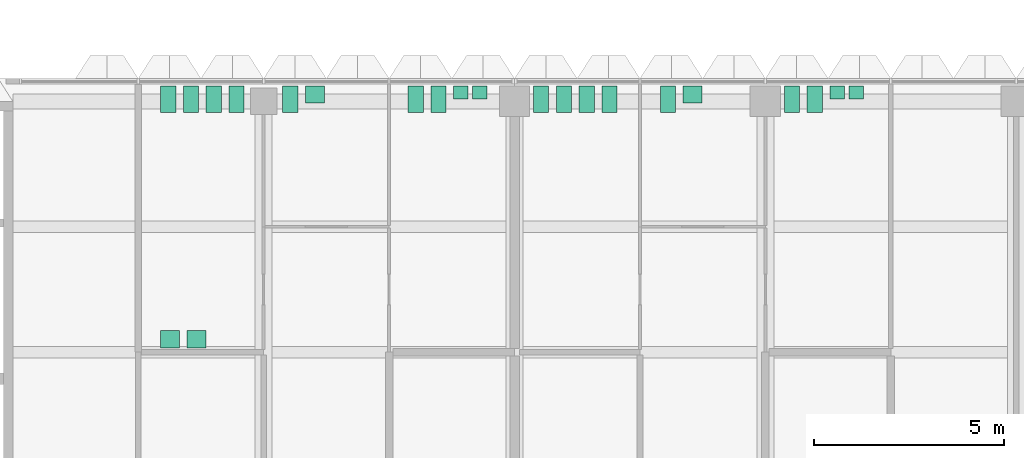
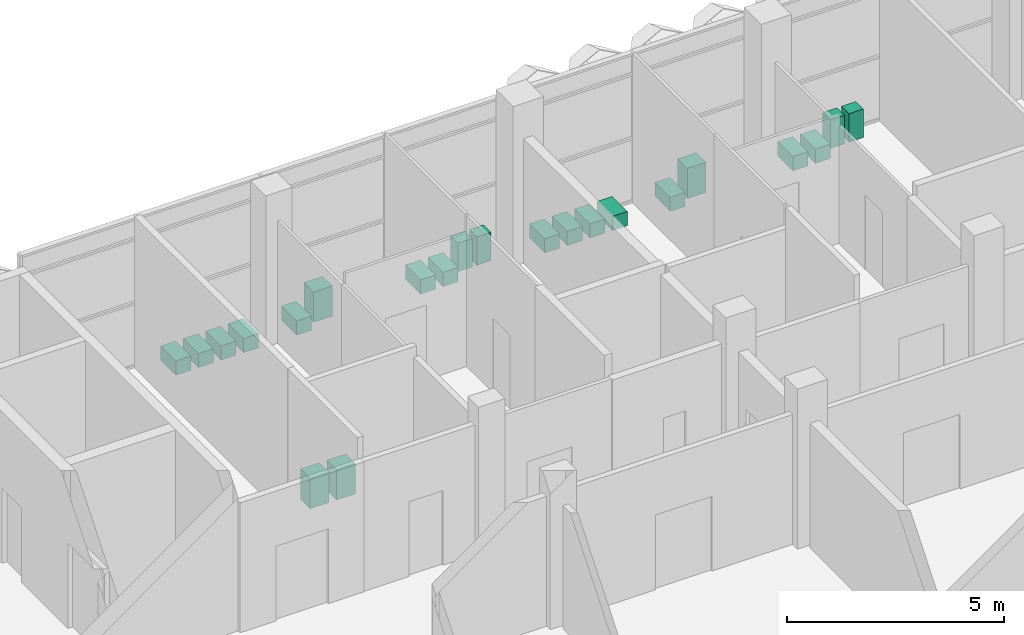
# One storey, part 61 of 61: 22 sanitary terminals.
"""IFC4 building model written with IfcOpenShell, lengths in metres."""

from ifc_helpers import new_model, si_unit, direction, frame, origin, origin_2d, place, context, subcontext, project, spatial, rectangle, extrude, element, save


model = new_model("IFC4")

# Units and contexts
model_context = context("Model", 3, precision=1e-05, world=origin(), true_north=direction((0.0, 1.0)))
body_context = subcontext(model_context, "Body", "Model", "MODEL_VIEW")
ifc_project = project(units=[si_unit("LENGTHUNIT", "METRE"), si_unit("AREAUNIT", "SQUARE_METRE"), si_unit("VOLUMEUNIT", "CUBIC_METRE"), si_unit("PLANEANGLEUNIT", "RADIAN"), si_unit("MASSUNIT", "GRAM", prefix="KILO")], contexts=[model_context])

# Site, building, storey
site_placement = place(None, origin())
site = spatial("IfcSite", under=ifc_project, at=site_placement, CompositionType="ELEMENT")
building_placement = place(site_placement, origin())
building = spatial("IfcBuilding", under=site, at=building_placement, Name="Lantern Court Research Institute", CompositionType="ELEMENT")
storey_placement = place(building_placement, frame((0.0, 0.0, 23.39990234375)))
storey = spatial("IfcBuildingStorey", under=building, at=storey_placement, Name="L05", CompositionType="ELEMENT", Elevation=23.39990234375)

# Sanitary terminals
for number, where, z_axis, x_axis, name in (
    (1, (43.6875, 23.159912109375, 0.000244140625), (0.0, 0.0, 1.0), (1.0, 0.0, 0.0), "WC pan W5.09"),
    (2, (44.28759765625, 23.159912109375, 0.000244140625), (0.0, 0.0, 1.0), (1.0, 0.0, 0.0), "WC pan W5.09"),
    (3, (44.887451171875, 23.159912109375, 0.000244140625), (0.0, 0.0, 1.0), (1.0, 0.0, 0.0), "WC pan W5.09"),
    (4, (45.487548828125, 23.159912109375, 0.000244140625), (0.0, 0.0, 1.0), (1.0, 0.0, 0.0), "WC pan W5.09"),
):
    element("IfcSanitaryTerminal", number, at=place(storey_placement, frame(where, z_axis=z_axis, x_axis=x_axis)), inside=storey, Name=name, PredefinedType="TOILETPAN", context=body_context, shape_type="SweptSolid", body=[
        extrude(rectangle(XDim=0.39990234375, YDim=0.699951171875, at=origin_2d()), origin(), (0.0, 0.0, 1.0), 0.39990234375),
    ])
for number, where, z_axis, x_axis, name in (
    (5, (43.737548828125, 16.840087890625, 0.0), (0.0, 0.0, 1.0), (1.0, 0.0, 0.0), "Wash basin W5.09"),
    (6, (44.4375, 16.840087890625, 0.0), (0.0, 0.0, 1.0), (1.0, 0.0, 0.0), "Wash basin W5.09"),
):
    element("IfcSanitaryTerminal", number, at=place(storey_placement, frame(where, z_axis=z_axis, x_axis=x_axis)), inside=storey, Name=name, PredefinedType="WASHHANDBASIN", context=body_context, shape_type="SweptSolid", body=[
        extrude(rectangle(XDim=0.5, YDim=0.449951171875, at=origin_2d()), origin(), (0.0, 0.0, 1.0), 0.85009765625),
    ])
sanitary_terminal_1_placement = place(storey_placement, frame((46.89990234375, 23.159912109375, 0.000244140625), z_axis=(0.0, 0.0, 1.0), x_axis=(1.0, 0.0, 0.0)))
element("IfcSanitaryTerminal", 7, at=sanitary_terminal_1_placement, inside=storey, Name="WC pan W5.11", PredefinedType="TOILETPAN", context=body_context, shape_type="SweptSolid", body=[
    extrude(rectangle(XDim=0.39990234375, YDim=0.699951171875, at=origin_2d()), origin(), (0.0, 0.0, 1.0), 0.39990234375),
])
sanitary_terminal_2_placement = place(storey_placement, frame((47.550048828125, 23.284912109375, 0.0), z_axis=(0.0, 0.0, 1.0), x_axis=(1.0, 0.0, 0.0)))
element("IfcSanitaryTerminal", 8, at=sanitary_terminal_2_placement, inside=storey, Name="Wash basin W5.11", PredefinedType="WASHHANDBASIN", context=body_context, shape_type="SweptSolid", body=[
    extrude(rectangle(XDim=0.5, YDim=0.449951171875, at=origin_2d()), origin(), (0.0, 0.0, 1.0), 0.85009765625),
])
for number, where, z_axis, x_axis, name in (
    (9, (50.199951171875, 23.159912109375, 0.000244140625), (0.0, 0.0, 1.0), (1.0, 0.0, 0.0), "WC pan W5.13"),
    (10, (50.800048828125, 23.159912109375, 0.000244140625), (0.0, 0.0, 1.0), (1.0, 0.0, 0.0), "WC pan W5.13"),
):
    element("IfcSanitaryTerminal", number, at=place(storey_placement, frame(where, z_axis=z_axis, x_axis=x_axis)), inside=storey, Name=name, PredefinedType="TOILETPAN", context=body_context, shape_type="SweptSolid", body=[
        extrude(rectangle(XDim=0.39990234375, YDim=0.699951171875, at=origin_2d()), origin(), (0.0, 0.0, 1.0), 0.39990234375),
    ])
for number, where, z_axis, x_axis, name in (
    (11, (51.389892578125, 23.3349609375, 0.0), (0.0, 0.0, 1.0), (1.0, 0.0, 0.0), "Urinal W5.13"),
    (12, (51.889892578125, 23.3349609375, 0.0), (0.0, 0.0, 1.0), (1.0, 0.0, 0.0), "Urinal W5.13"),
):
    element("IfcSanitaryTerminal", number, at=place(storey_placement, frame(where, z_axis=z_axis, x_axis=x_axis)), inside=storey, Name=name, PredefinedType="URINAL", context=body_context, shape_type="SweptSolid", body=[
        extrude(rectangle(XDim=0.3798828125, YDim=0.35009765625, at=origin_2d()), origin(), (0.0, 0.0, 1.0), 0.800048828125),
    ])
for number, where, z_axis, x_axis, name in (
    (13, (53.5, 23.159912109375, 0.000244140625), (0.0, 0.0, 1.0), (1.0, 0.0, 0.0), "WC pan T5.03"),
    (14, (54.10009765625, 23.159912109375, 0.000244140625), (0.0, 0.0, 1.0), (1.0, 0.0, 0.0), "WC pan T5.03"),
    (15, (54.699951171875, 23.159912109375, 0.000244140625), (0.0, 0.0, 1.0), (1.0, 0.0, 0.0), "WC pan T5.03"),
    (16, (55.300048828125, 23.159912109375, 0.000244140625), (0.0, 0.0, 1.0), (1.0, 0.0, 0.0), "WC pan T5.03"),
    (17, (56.83740234375, 23.159912109375, 0.000244140625), (0.0, 0.0, 1.0), (1.0, 0.0, 0.0), "WC pan T5.05"),
):
    element("IfcSanitaryTerminal", number, at=place(storey_placement, frame(where, z_axis=z_axis, x_axis=x_axis)), inside=storey, Name=name, PredefinedType="TOILETPAN", context=body_context, shape_type="SweptSolid", body=[
        extrude(rectangle(XDim=0.39990234375, YDim=0.699951171875, at=origin_2d()), origin(), (0.0, 0.0, 1.0), 0.39990234375),
    ])
sanitary_terminal_3_placement = place(storey_placement, frame((57.487548828125, 23.284912109375, 0.0), z_axis=(0.0, 0.0, 1.0), x_axis=(1.0, 0.0, 0.0)))
element("IfcSanitaryTerminal", 18, at=sanitary_terminal_3_placement, inside=storey, Name="Wash basin T5.05", PredefinedType="WASHHANDBASIN", context=body_context, shape_type="SweptSolid", body=[
    extrude(rectangle(XDim=0.5, YDim=0.449951171875, at=origin_2d()), origin(), (0.0, 0.0, 1.0), 0.85009765625),
])
for number, where, z_axis, x_axis, name in (
    (19, (60.10009765625, 23.159912109375, 0.000244140625), (0.0, 0.0, 1.0), (1.0, 0.0, 0.0), "WC pan T5.07"),
    (20, (60.699951171875, 23.159912109375, 0.000244140625), (0.0, 0.0, 1.0), (1.0, 0.0, 0.0), "WC pan T5.07"),
):
    element("IfcSanitaryTerminal", number, at=place(storey_placement, frame(where, z_axis=z_axis, x_axis=x_axis)), inside=storey, Name=name, PredefinedType="TOILETPAN", context=body_context, shape_type="SweptSolid", body=[
        extrude(rectangle(XDim=0.39990234375, YDim=0.699951171875, at=origin_2d()), origin(), (0.0, 0.0, 1.0), 0.39990234375),
    ])
for number, where, z_axis, x_axis, name in (
    (21, (61.2900390625, 23.3349609375, 0.0), (0.0, 0.0, 1.0), (1.0, 0.0, 0.0), "Urinal T5.07"),
    (22, (61.7900390625, 23.3349609375, 0.0), (0.0, 0.0, 1.0), (1.0, 0.0, 0.0), "Urinal T5.07"),
):
    element("IfcSanitaryTerminal", number, at=place(storey_placement, frame(where, z_axis=z_axis, x_axis=x_axis)), inside=storey, Name=name, PredefinedType="URINAL", context=body_context, shape_type="SweptSolid", body=[
        extrude(rectangle(XDim=0.3798828125, YDim=0.35009765625, at=origin_2d()), origin(), (0.0, 0.0, 1.0), 0.800048828125),
    ])

save(model, "model.ifc")
